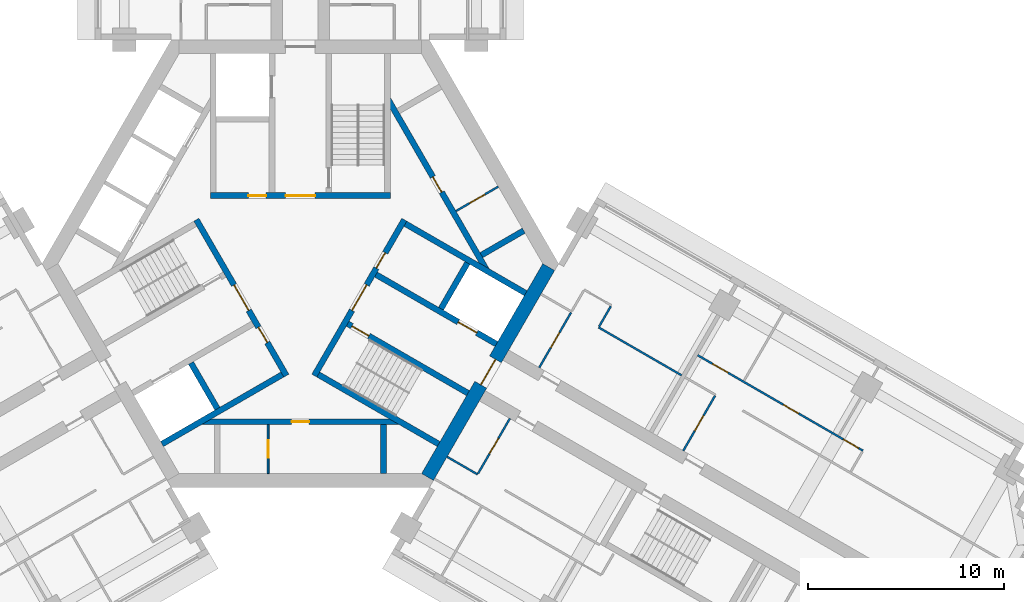
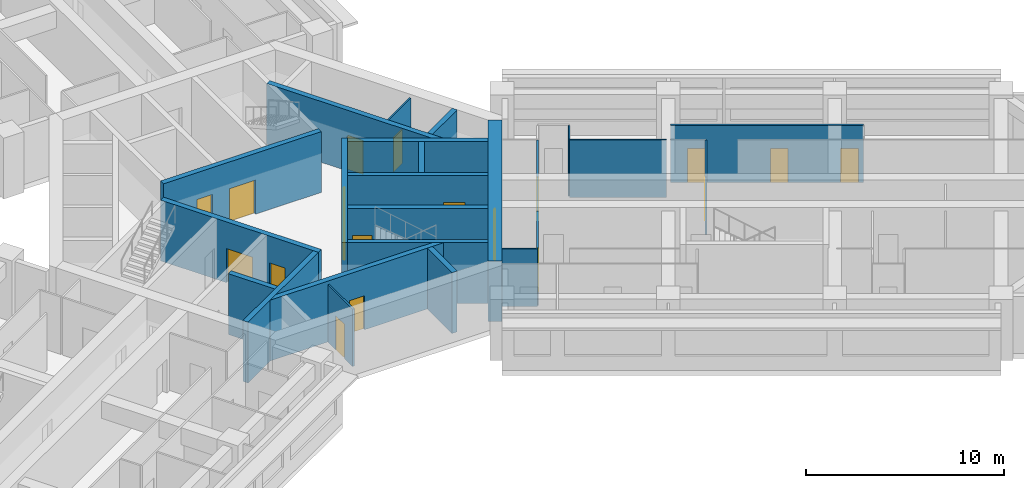
# One storey, part 6 of 12: 24 walls, 19 doors, 19 openings.
"""IFC4 building model written with IfcOpenShell, lengths in metres."""

from ifc_helpers import new_model, si_unit, direction, frame, frame_2d, origin, place, context, subcontext, project, spatial, rectangle, extrude, material, layer, layer_set, type_object, element, fill, save


model = new_model("IFC4")

# Units and contexts
model_context = context("Model", 3, precision=1e-05, world=origin(), true_north=direction((0.0, 1.0)))
body_context = subcontext(model_context, "Body", "Model", "MODEL_VIEW")
ifc_project = project(units=[si_unit("LENGTHUNIT", "METRE"), si_unit("AREAUNIT", "SQUARE_METRE"), si_unit("VOLUMEUNIT", "CUBIC_METRE"), si_unit("PLANEANGLEUNIT", "RADIAN"), si_unit("MASSUNIT", "GRAM", prefix="KILO")], contexts=[model_context])

# Site, building, storey
site_placement = place(None, origin())
site = spatial("IfcSite", under=ifc_project, at=site_placement, CompositionType="ELEMENT")
building_placement = place(site_placement, origin())
building = spatial("IfcBuilding", under=site, at=building_placement, Name="Impinga Residences", CompositionType="ELEMENT")
storey_placement = place(building_placement, frame((0.0, 0.0, 188.5)))
storey = spatial("IfcBuildingStorey", under=building, at=storey_placement, Name="L46", CompositionType="ELEMENT", Elevation=188.5)

# Wall, opening, door
ifc_material_1 = material(Name="Concrete blockwork", Category="masonry")
ifc_layer_1 = layer(ifc_material_1, 0.10009765625)
ifc_layer_set_1 = layer_set([ifc_layer_1], Name="CP1 core room partition, blockwork 100")
wall_type_1 = type_object("IfcWallType", Name="CP1 core room partition, blockwork 100", PredefinedType="PARTITIONING", material=ifc_layer_set_1)
wall_1_placement = place(storey_placement, frame((-1.64990234375, -8.2314453125, 0.0), z_axis=(0.0, 0.0, 1.0), x_axis=(0.0, -1.0, 0.0)))
wall_1 = element("IfcWall", 1, at=wall_1_placement, inside=storey, type_object=wall_type_1, Name="Core room partition, blockwork L46:CORE:low:ZP1", PredefinedType="PARTITIONING", context=body_context, shape_type="SweptSolid", body=[
    extrude(rectangle(XDim=2.5, YDim=0.10009765625, at=frame_2d((1.25, 0.0))), origin(), (0.0, 0.0, 1.0), 3.530029296875),
])
opening_1_placement = place(wall_1_placement, frame((0.800048828125, 0.0, 0.0)))
opening_1 = element("IfcOpeningElement", 2, at=opening_1_placement, cuts=wall_1, Name="Opening D6", PredefinedType="OPENING", context=body_context, shape_type="SweptSolid", body=[
    extrude(rectangle(XDim=0.89990234375, YDim=2.10009765625, at=frame_2d((0.449951171875, 1.050048828125))), frame((0.0, 0.06005859375, 0.0), z_axis=(0.0, -1.0, 0.0), x_axis=(1.0, 0.0, 0.0)), (0.0, 0.0, 1.0), 0.1201171875),
])
ifc_material_2 = material(Name="Timber door set", Category="wood")
door_type_1 = type_object("IfcDoorType", Name="D6 riser and store door 900x2100", OperationType="SINGLE_SWING_LEFT", PredefinedType="DOOR", material=ifc_material_2)
door_1_placement = place(opening_1_placement, origin())
door_1 = element("IfcDoor", 3, at=door_1_placement, inside=storey, type_object=door_type_1, Name="Linen store door", OperationType="SINGLE_SWING_LEFT", OverallHeight=2.10009765625, OverallWidth=0.89990234375, PredefinedType="DOOR", context=body_context, shape_type="SweptSolid", body=[
    extrude(rectangle(XDim=0.89990234375, YDim=2.10009765625, at=frame_2d((0.449951171875, 1.050048828125))), frame((0.0, 0.02490234375, 0.0), z_axis=(0.0, -1.0, 0.0), x_axis=(1.0, 0.0, 0.0)), (0.0, 0.0, 1.0), 0.050048828125),
])
fill(opening_1, door_1)

wall_2_placement = place(storey_placement, frame((7.95361328125, 2.686767578125, 0.0), z_axis=(0.0, 0.0, 1.0), x_axis=(0.866047370643, 0.499961950354, 0.0)))
wall_2 = element("IfcWall", 4, at=wall_2_placement, inside=storey, type_object=wall_type_1, Name="Core room partition, blockwork L46:CORE:mid:ZP1", PredefinedType="PARTITIONING", context=body_context, shape_type="SweptSolid", body=[
    extrude(rectangle(XDim=2.500244140625, YDim=0.10009765625, at=frame_2d((1.25, 0.0))), origin(), (0.0, 0.0, 1.0), 3.530029296875),
])
opening_2_placement = place(wall_2_placement, frame((0.800048828125, 0.0, 0.0)))
opening_2 = element("IfcOpeningElement", 5, at=opening_2_placement, cuts=wall_2, Name="Opening D6", PredefinedType="OPENING", context=body_context, shape_type="SweptSolid", body=[
    extrude(rectangle(XDim=0.89990234375, YDim=2.10009765625, at=frame_2d((0.449951171875, 1.050048828125))), frame((0.0, 0.06005859375, 0.0), z_axis=(0.0, -1.0, 0.0), x_axis=(1.0, 0.0, 0.0)), (0.0, 0.0, 1.0), 0.1201171875),
])
door_2_placement = place(opening_2_placement, origin())
door_2 = element("IfcDoor", 6, at=door_2_placement, inside=storey, type_object=door_type_1, Name="Residents' storage lockers door", OperationType="SINGLE_SWING_LEFT", OverallHeight=2.10009765625, OverallWidth=0.89990234375, PredefinedType="DOOR", context=body_context, shape_type="SweptSolid", body=[
    extrude(rectangle(XDim=0.89990234375, YDim=2.10009765625, at=frame_2d((0.449951171875, 1.050048828125))), frame((0.0, 0.02490234375, 0.0), z_axis=(0.0, -1.0, 0.0), x_axis=(1.0, 0.0, 0.0)), (0.0, 0.0, 1.0), 0.050048828125),
])
fill(opening_2, door_2)

# Walls
ifc_material_3 = material(Name="Gypsum board on steel studs", Category="steel")
ifc_layer_2 = layer(ifc_material_3, 0.10009765625)
ifc_layer_set_2 = layer_set([ifc_layer_2], Name="Gypsum board on steel studs")
wall_type_2 = type_object("IfcWallType", Name="IP1 partition 100", PredefinedType="PARTITIONING", material=ifc_layer_set_2)
wall_3_placement = place(storey_placement, frame((15.244384765625, -3.2587890625, 0.0), z_axis=(0.0, 0.0, 1.0), x_axis=(0.866036242063, -0.49998122708, 0.0)))
element("IfcWall", 7, at=wall_3_placement, inside=storey, type_object=wall_type_2, Name="Partition L46-EA1:DIV1", PredefinedType="PARTITIONING", context=body_context, shape_type="SweptSolid", body=[
    extrude(rectangle(XDim=4.900146484375, YDim=0.10009765625, at=frame_2d((2.4501953125, 0.0))), origin(), (0.0, 0.0, 1.0), 3.530029296875),
])
wall_4_placement = place(storey_placement, frame((15.26953125, -3.215576171875, 0.0), z_axis=(0.0, 0.0, 1.0), x_axis=(0.499880961361, 0.866094119867, 0.0)))
element("IfcWall", 8, at=wall_4_placement, inside=storey, type_object=wall_type_2, Name="Partition L46-EA1:SE1", PredefinedType="PARTITIONING", context=body_context, shape_type="SweptSolid", body=[
    extrude(rectangle(XDim=1.199951171875, YDim=0.10009765625, at=frame_2d((0.60009765625, 0.0))), origin(), (0.0, 0.0, 1.0), 3.530029296875),
])

# Wall, opening, door
wall_5_placement = place(storey_placement, frame((12.208740234375, -5.316650390625, 0.0), z_axis=(0.0, 0.0, 1.0), x_axis=(0.500017246033, 0.866015446554, 0.0)))
wall_5 = element("IfcWall", 9, at=wall_5_placement, inside=storey, type_object=wall_type_2, Name="Partition L46-EA1:IB1", PredefinedType="PARTITIONING", context=body_context, shape_type="SweptSolid", body=[
    extrude(rectangle(XDim=3.25, YDim=0.10009765625, at=frame_2d((1.625, 0.0))), origin(), (0.0, 0.0, 1.0), 3.530029296875),
])
opening_3_placement = place(wall_5_placement, frame((1.175048828125, 0.0, 0.0)))
opening_3 = element("IfcOpeningElement", 10, at=opening_3_placement, cuts=wall_5, Name="Opening D2", PredefinedType="OPENING", context=body_context, shape_type="SweptSolid", body=[
    extrude(rectangle(XDim=0.89990234375, YDim=2.10009765625, at=frame_2d((0.449951171875, 1.050048828125))), frame((0.0, 0.06005859375, 0.0), z_axis=(0.0, -1.0, 0.0), x_axis=(1.0, 0.0, 0.0)), (0.0, 0.0, 1.0), 0.1201171875),
])
door_type_2 = type_object("IfcDoorType", Name="D2 internal door 900x2100", OperationType="SINGLE_SWING_LEFT", PredefinedType="DOOR", material=ifc_material_2)
door_3_placement = place(opening_3_placement, origin())
door_3 = element("IfcDoor", 11, at=door_3_placement, inside=storey, type_object=door_type_2, Name="Apartment L46-EA1 bathroom door", OperationType="SINGLE_SWING_LEFT", OverallHeight=2.10009765625, OverallWidth=0.89990234375, PredefinedType="DOOR", context=body_context, shape_type="SweptSolid", body=[
    extrude(rectangle(XDim=0.89990234375, YDim=2.10009765625, at=frame_2d((0.449951171875, 1.050048828125))), frame((0.0, 0.02490234375, 0.0), z_axis=(0.0, -1.0, 0.0), x_axis=(1.0, 0.0, 0.0)), (0.0, 0.0, 1.0), 0.050048828125),
])
fill(opening_3, door_3)

# Wall, openings, doors
wall_6_placement = place(storey_placement, frame((20.311279296875, -4.68310546875, 0.0), z_axis=(0.0, 0.0, 1.0), x_axis=(0.866021707014, -0.500006402939, 0.0)))
wall_6 = element("IfcWall", 12, at=wall_6_placement, inside=storey, type_object=wall_type_2, Name="Partition L46-EA2:STRIP", PredefinedType="PARTITIONING", context=body_context, shape_type="SweptSolid", body=[
    extrude(rectangle(XDim=9.749755859375, YDim=0.10009765625, at=frame_2d((4.875, 0.0))), origin(), (0.0, 0.0, 1.0), 3.530029296875),
])
opening_4_placement = place(wall_6_placement, frame((0.875, 0.0, 0.0)))
opening_4 = element("IfcOpeningElement", 13, at=opening_4_placement, cuts=wall_6, Name="Opening D2", PredefinedType="OPENING", context=body_context, shape_type="SweptSolid", body=[
    extrude(rectangle(XDim=0.89990234375, YDim=2.10009765625, at=frame_2d((0.449951171875, 1.050048828125))), frame((0.0, 0.06005859375, 0.0), z_axis=(0.0, -1.0, 0.0), x_axis=(1.0, 0.0, 0.0)), (0.0, 0.0, 1.0), 0.1201171875),
])
opening_5_placement = place(wall_6_placement, frame((5.050048828125, 0.0, 0.0)))
opening_5 = element("IfcOpeningElement", 14, at=opening_5_placement, cuts=wall_6, Name="Opening D2", PredefinedType="OPENING", context=body_context, shape_type="SweptSolid", body=[
    extrude(rectangle(XDim=0.89990234375, YDim=2.10009765625, at=frame_2d((0.449951171875, 1.050048828125))), frame((0.0, 0.06005859375, 0.0), z_axis=(0.0, -1.0, 0.0), x_axis=(1.0, 0.0, 0.0)), (0.0, 0.0, 1.0), 0.1201171875),
])
opening_6_placement = place(wall_6_placement, frame((8.60009765625, 0.0, 0.0)))
opening_6 = element("IfcOpeningElement", 15, at=opening_6_placement, cuts=wall_6, Name="Opening D2", PredefinedType="OPENING", context=body_context, shape_type="SweptSolid", body=[
    extrude(rectangle(XDim=0.89990234375, YDim=2.10009765625, at=frame_2d((0.449951171875, 1.050048828125))), frame((0.0, 0.06005859375, 0.0), z_axis=(0.0, -1.0, 0.0), x_axis=(1.0, 0.0, 0.0)), (0.0, 0.0, 1.0), 0.1201171875),
])
door_4_placement = place(opening_4_placement, origin())
door_4 = element("IfcDoor", 16, at=door_4_placement, inside=storey, type_object=door_type_2, Name="Apartment L46-EA2 room door", OperationType="SINGLE_SWING_LEFT", OverallHeight=2.10009765625, OverallWidth=0.89990234375, PredefinedType="DOOR", context=body_context, shape_type="SweptSolid", body=[
    extrude(rectangle(XDim=0.89990234375, YDim=2.10009765625, at=frame_2d((0.449951171875, 1.050048828125))), frame((0.0, 0.02490234375, 0.0), z_axis=(0.0, -1.0, 0.0), x_axis=(1.0, 0.0, 0.0)), (0.0, 0.0, 1.0), 0.050048828125),
])
fill(opening_4, door_4)
door_5_placement = place(opening_5_placement, origin())
door_5 = element("IfcDoor", 17, at=door_5_placement, inside=storey, type_object=door_type_2, Name="Apartment L46-EA2 room door", OperationType="SINGLE_SWING_RIGHT", OverallHeight=2.10009765625, OverallWidth=0.89990234375, PredefinedType="DOOR", context=body_context, shape_type="SweptSolid", body=[
    extrude(rectangle(XDim=0.89990234375, YDim=2.10009765625, at=frame_2d((0.449951171875, 1.050048828125))), frame((0.0, 0.02490234375, 0.0), z_axis=(0.0, -1.0, 0.0), x_axis=(1.0, 0.0, 0.0)), (0.0, 0.0, 1.0), 0.050048828125),
])
fill(opening_5, door_5)
door_6_placement = place(opening_6_placement, origin())
door_6 = element("IfcDoor", 18, at=door_6_placement, inside=storey, type_object=door_type_2, Name="Apartment L46-EA2 room door", OperationType="SINGLE_SWING_RIGHT", OverallHeight=2.10009765625, OverallWidth=0.89990234375, PredefinedType="DOOR", context=body_context, shape_type="SweptSolid", body=[
    extrude(rectangle(XDim=0.89990234375, YDim=2.10009765625, at=frame_2d((0.449951171875, 1.050048828125))), frame((0.0, 0.02490234375, 0.0), z_axis=(0.0, -1.0, 0.0), x_axis=(1.0, 0.0, 0.0)), (0.0, 0.0, 1.0), 0.050048828125),
])
fill(opening_6, door_6)

# Wall, opening, door
wall_7_placement = place(storey_placement, frame((19.570068359375, -9.566650390625, 0.0), z_axis=(0.0, 0.0, 1.0), x_axis=(0.500017246033, 0.866015446554, 0.0)))
wall_7 = element("IfcWall", 19, at=wall_7_placement, inside=storey, type_object=wall_type_2, Name="Partition L46-EA2:IB1", PredefinedType="PARTITIONING", context=body_context, shape_type="SweptSolid", body=[
    extrude(rectangle(XDim=3.25, YDim=0.10009765625, at=frame_2d((1.625, 0.0))), origin(), (0.0, 0.0, 1.0), 3.530029296875),
])
opening_7_placement = place(wall_7_placement, frame((1.175048828125, 0.0, 0.0)))
opening_7 = element("IfcOpeningElement", 20, at=opening_7_placement, cuts=wall_7, Name="Opening D2", PredefinedType="OPENING", context=body_context, shape_type="SweptSolid", body=[
    extrude(rectangle(XDim=0.89990234375, YDim=2.10009765625, at=frame_2d((0.449951171875, 1.050048828125))), frame((0.0, 0.06005859375, 0.0), z_axis=(0.0, -1.0, 0.0), x_axis=(1.0, 0.0, 0.0)), (0.0, 0.0, 1.0), 0.1201171875),
])
door_7_placement = place(opening_7_placement, origin())
door_7 = element("IfcDoor", 21, at=door_7_placement, inside=storey, type_object=door_type_2, Name="Apartment L46-EA2 bathroom door", OperationType="SINGLE_SWING_LEFT", OverallHeight=2.10009765625, OverallWidth=0.89990234375, PredefinedType="DOOR", context=body_context, shape_type="SweptSolid", body=[
    extrude(rectangle(XDim=0.89990234375, YDim=2.10009765625, at=frame_2d((0.449951171875, 1.050048828125))), frame((0.0, 0.02490234375, 0.0), z_axis=(0.0, -1.0, 0.0), x_axis=(1.0, 0.0, 0.0)), (0.0, 0.0, 1.0), 0.050048828125),
])
fill(opening_7, door_7)

# Wall
wall_8_placement = place(storey_placement, frame((7.5, -9.872802734375, 0.0), z_axis=(0.0, 0.0, 1.0), x_axis=(0.866047807691, -0.499961193289, 0.0)))
element("IfcWall", 22, at=wall_8_placement, inside=storey, type_object=wall_type_2, Name="Partition L46-EF1:DIV0", PredefinedType="PARTITIONING", context=body_context, shape_type="SweptSolid", body=[
    extrude(rectangle(XDim=1.800048828125, YDim=0.10009765625, at=frame_2d((0.89990234375, 0.0))), origin(), (0.0, 0.0, 1.0), 3.530029296875),
])

# Wall, opening, door
wall_9_placement = place(storey_placement, frame((10.708740234375, -7.914794921875, 0.0), z_axis=(0.0, 0.0, 1.0), x_axis=(-0.499984717929, -0.866034226713, 0.0)))
wall_9 = element("IfcWall", 23, at=wall_9_placement, inside=storey, type_object=wall_type_2, Name="Partition L46-EF1:IB1", PredefinedType="PARTITIONING", context=body_context, shape_type="SweptSolid", body=[
    extrude(rectangle(XDim=3.25, YDim=0.10009765625, at=frame_2d((1.625, 0.0))), origin(), (0.0, 0.0, 1.0), 3.530029296875),
])
opening_8_placement = place(wall_9_placement, frame((1.175048828125, 0.0, 0.0)))
opening_8 = element("IfcOpeningElement", 24, at=opening_8_placement, cuts=wall_9, Name="Opening D2", PredefinedType="OPENING", context=body_context, shape_type="SweptSolid", body=[
    extrude(rectangle(XDim=0.89990234375, YDim=2.10009765625, at=frame_2d((0.449951171875, 1.050048828125))), frame((0.0, 0.06005859375, 0.0), z_axis=(0.0, -1.0, 0.0), x_axis=(1.0, 0.0, 0.0)), (0.0, 0.0, 1.0), 0.1201171875),
])
door_8_placement = place(opening_8_placement, origin())
door_8 = element("IfcDoor", 25, at=door_8_placement, inside=storey, type_object=door_type_2, Name="Apartment L46-EF1 bathroom door", OperationType="SINGLE_SWING_LEFT", OverallHeight=2.10009765625, OverallWidth=0.89990234375, PredefinedType="DOOR", context=body_context, shape_type="SweptSolid", body=[
    extrude(rectangle(XDim=0.89990234375, YDim=2.10009765625, at=frame_2d((0.449951171875, 1.050048828125))), frame((0.0, 0.02490234375, 0.0), z_axis=(0.0, -1.0, 0.0), x_axis=(1.0, 0.0, 0.0)), (0.0, 0.0, 1.0), 0.050048828125),
])
fill(opening_8, door_8)

ifc_material_4 = material(Name="Concrete C60/75", Category="concrete")
ifc_layer_3 = layer(ifc_material_4, 0.699951171875)
ifc_layer_set_3 = layer_set([ifc_layer_3], Name="Concrete C60/75")
wall_type_3 = type_object("IfcWallType", Name="SW3 core wall 700", PredefinedType="SHEAR", material=ifc_layer_set_3)
wall_10_placement = place(storey_placement, frame((12.69482421875, -0.175048828125, 0.0), z_axis=(0.0, 0.0, 1.0), x_axis=(-0.499999875397, -0.866025475724, 0.0)))
wall_10 = element("IfcWall", 26, at=wall_10_placement, inside=storey, type_object=wall_type_3, Name="Core wall SW3 E:FACE L46", PredefinedType="SHEAR", context=body_context, shape_type="SweptSolid", body=[
    extrude(rectangle(XDim=12.3916015625, YDim=0.699951171875, at=frame_2d((6.19580078125, 0.0))), origin(), (0.0, 0.0, 1.0), 3.75),
])
opening_9_placement = place(wall_10_placement, frame((5.44580078125, 0.0, 0.0)))
opening_9 = element("IfcOpeningElement", 27, at=opening_9_placement, cuts=wall_10, Name="Opening D4", PredefinedType="OPENING", context=body_context, shape_type="SweptSolid", body=[
    extrude(rectangle(XDim=1.5, YDim=2.10009765625, at=frame_2d((0.75, 1.050048828125))), frame((0.0, 0.35986328125, 0.0), z_axis=(0.0, -1.0, 0.0), x_axis=(1.0, 0.0, 0.0)), (0.0, 0.0, 1.0), 0.719970703125),
])
door_type_3 = type_object("IfcDoorType", Name="D4 lobby door pair 1500x2100", OperationType="DOUBLE_DOOR_DOUBLE_SWING", PredefinedType="DOOR", material=ifc_material_2)
door_9_placement = place(opening_9_placement, origin())
door_9 = element("IfcDoor", 28, at=door_9_placement, inside=storey, type_object=door_type_3, Name="Lobby door E", OperationType="DOUBLE_DOOR_DOUBLE_SWING", OverallHeight=2.10009765625, OverallWidth=1.5, PredefinedType="DOOR", context=body_context, shape_type="SweptSolid", body=[
    extrude(rectangle(XDim=1.5, YDim=2.10009765625, at=frame_2d((0.75, 1.050048828125))), frame((0.0, 0.02490234375, 0.0), z_axis=(0.0, -1.0, 0.0), x_axis=(1.0, 0.0, 0.0)), (0.0, 0.0, 1.0), 0.050048828125),
])
fill(opening_9, door_9)

# Wall, openings, doors
ifc_material_5 = material(Name="Concrete C70/85", Category="concrete")
ifc_layer_4 = layer(ifc_material_5, 0.300048828125)
ifc_layer_set_4 = layer_set([ifc_layer_4], Name="Concrete C70/85")
wall_type_4 = type_object("IfcWallType", Name="SW5 core inner wall, stairs, shafts and lobbies 300", PredefinedType="SHEAR", material=ifc_layer_set_4)
wall_11_placement = place(storey_placement, frame((-4.60009765625, 3.47998046875, 0.0), z_axis=(0.0, 0.0, 1.0), x_axis=(1.0, 0.0, 0.0)))
wall_11 = element("IfcWall", 29, at=wall_11_placement, inside=storey, type_object=wall_type_4, Name="Core wall SW5 N:ZONE L46", PredefinedType="SHEAR", context=body_context, shape_type="SweptSolid", body=[
    extrude(rectangle(XDim=9.2001953125, YDim=0.300048828125, at=frame_2d((4.60009765625, 0.0))), origin(), (0.0, 0.0, 1.0), 3.75),
])
opening_10_placement = place(wall_11_placement, frame((3.85009765625, 0.0, 0.0)))
opening_10 = element("IfcOpeningElement", 30, at=opening_10_placement, cuts=wall_11, Name="Opening D4", PredefinedType="OPENING", context=body_context, shape_type="SweptSolid", body=[
    extrude(rectangle(XDim=1.5, YDim=2.10009765625, at=frame_2d((0.75, 1.050048828125))), frame((0.0, 0.159912109375, 0.0), z_axis=(0.0, -1.0, 0.0), x_axis=(1.0, 0.0, 0.0)), (0.0, 0.0, 1.0), 0.320068359375),
])
opening_11_placement = place(wall_11_placement, frame((1.949951171875, 0.0, 0.0)))
opening_11 = element("IfcOpeningElement", 31, at=opening_11_placement, cuts=wall_11, Name="Opening D6", PredefinedType="OPENING", context=body_context, shape_type="SweptSolid", body=[
    extrude(rectangle(XDim=0.89990234375, YDim=2.10009765625, at=frame_2d((0.449951171875, 1.050048828125))), frame((0.0, 0.159912109375, 0.0), z_axis=(0.0, -1.0, 0.0), x_axis=(1.0, 0.0, 0.0)), (0.0, 0.0, 1.0), 0.320068359375),
])
door_10_placement = place(opening_10_placement, origin())
door_10 = element("IfcDoor", 32, at=door_10_placement, inside=storey, type_object=door_type_3, Name="Firefighting lobby door N", OperationType="DOUBLE_DOOR_DOUBLE_SWING", OverallHeight=2.10009765625, OverallWidth=1.5, PredefinedType="DOOR", context=body_context, shape_type="SweptSolid", body=[
    extrude(rectangle(XDim=1.5, YDim=2.10009765625, at=frame_2d((0.75, 1.050048828125))), frame((0.0, 0.02490234375, 0.0), z_axis=(0.0, -1.0, 0.0), x_axis=(1.0, 0.0, 0.0)), (0.0, 0.0, 1.0), 0.050048828125),
])
fill(opening_10, door_10)
door_11_placement = place(opening_11_placement, origin())
door_11 = element("IfcDoor", 33, at=door_11_placement, inside=storey, type_object=door_type_1, Name="Riser door N", OperationType="SINGLE_SWING_LEFT", OverallHeight=2.10009765625, OverallWidth=0.89990234375, PredefinedType="DOOR", context=body_context, shape_type="SweptSolid", body=[
    extrude(rectangle(XDim=0.89990234375, YDim=2.10009765625, at=frame_2d((0.449951171875, 1.050048828125))), frame((0.0, 0.02490234375, 0.0), z_axis=(0.0, -1.0, 0.0), x_axis=(1.0, 0.0, 0.0)), (0.0, 0.0, 1.0), 0.050048828125),
])
fill(opening_11, door_11)

wall_12_placement = place(storey_placement, frame((-0.7138671875, -5.7236328125, 0.0), z_axis=(0.0, 0.0, 1.0), x_axis=(-0.499995050369, 0.866028261437, 0.0)))
wall_12 = element("IfcWall", 34, at=wall_12_placement, inside=storey, type_object=wall_type_4, Name="Core wall SW5 W:ZONE L46", PredefinedType="SHEAR", context=body_context, shape_type="SweptSolid", body=[
    extrude(rectangle(XDim=9.19970703125, YDim=0.300048828125, at=frame_2d((4.599853515625, 0.0))), origin(), (0.0, 0.0, 1.0), 3.75),
])
opening_12_placement = place(wall_12_placement, frame((3.85009765625, 0.0, 0.0)))
opening_12 = element("IfcOpeningElement", 35, at=opening_12_placement, cuts=wall_12, Name="Opening D4", PredefinedType="OPENING", context=body_context, shape_type="SweptSolid", body=[
    extrude(rectangle(XDim=1.5, YDim=2.10009765625, at=frame_2d((0.75, 1.050048828125))), frame((0.0, 0.159912109375, 0.0), z_axis=(0.0, -1.0, 0.0), x_axis=(1.0, 0.0, 0.0)), (0.0, 0.0, 1.0), 0.320068359375),
])
opening_13_placement = place(wall_12_placement, frame((1.949951171875, 0.0, 0.0)))
opening_13 = element("IfcOpeningElement", 36, at=opening_13_placement, cuts=wall_12, Name="Opening D6", PredefinedType="OPENING", context=body_context, shape_type="SweptSolid", body=[
    extrude(rectangle(XDim=0.89990234375, YDim=2.10009765625, at=frame_2d((0.449951171875, 1.050048828125))), frame((0.0, 0.159912109375, 0.0), z_axis=(0.0, -1.0, 0.0), x_axis=(1.0, 0.0, 0.0)), (0.0, 0.0, 1.0), 0.320068359375),
])
door_12_placement = place(opening_12_placement, origin())
door_12 = element("IfcDoor", 37, at=door_12_placement, inside=storey, type_object=door_type_3, Name="Firefighting lobby door W", OperationType="DOUBLE_DOOR_DOUBLE_SWING", OverallHeight=2.10009765625, OverallWidth=1.5, PredefinedType="DOOR", context=body_context, shape_type="SweptSolid", body=[
    extrude(rectangle(XDim=1.5, YDim=2.10009765625, at=frame_2d((0.75, 1.050048828125))), frame((0.0, 0.02490234375, 0.0), z_axis=(0.0, -1.0, 0.0), x_axis=(1.0, 0.0, 0.0)), (0.0, 0.0, 1.0), 0.050048828125),
])
fill(opening_12, door_12)
door_13_placement = place(opening_13_placement, origin())
door_13 = element("IfcDoor", 38, at=door_13_placement, inside=storey, type_object=door_type_1, Name="Riser door W", OperationType="SINGLE_SWING_LEFT", OverallHeight=2.10009765625, OverallWidth=0.89990234375, PredefinedType="DOOR", context=body_context, shape_type="SweptSolid", body=[
    extrude(rectangle(XDim=0.89990234375, YDim=2.10009765625, at=frame_2d((0.449951171875, 1.050048828125))), frame((0.0, 0.02490234375, 0.0), z_axis=(0.0, -1.0, 0.0), x_axis=(1.0, 0.0, 0.0)), (0.0, 0.0, 1.0), 0.050048828125),
])
fill(opening_13, door_13)

# Walls
wall_13_placement = place(storey_placement, frame((-0.918701171875, -5.668701171875, 0.0), z_axis=(0.0, 0.0, 1.0), x_axis=(-0.866025859768, -0.499999210213, 0.0)))
element("IfcWall", 39, at=wall_13_placement, inside=storey, type_object=wall_type_4, Name="Core wall SW5 W:FF-OUT L46", PredefinedType="SHEAR", context=body_context, shape_type="SweptSolid", body=[
    extrude(rectangle(XDim=7.1015625, YDim=0.300048828125, at=frame_2d((3.55078125, 0.0))), origin(), (0.0, 0.0, 1.0), 3.75),
])
wall_14_placement = place(storey_placement, frame((-4.2412109375, -7.413818359375, 0.0), z_axis=(0.0, 0.0, 1.0), x_axis=(-0.500048589285, 0.86599734893, 0.0)))
element("IfcWall", 40, at=wall_14_placement, inside=storey, type_object=wall_type_4, Name="Core wall SW5 W:FF-RS L46", PredefinedType="SHEAR", context=body_context, shape_type="SweptSolid", body=[
    extrude(rectangle(XDim=2.699951171875, YDim=0.300048828125, at=frame_2d((1.35009765625, 0.0))), origin(), (0.0, 0.0, 1.0), 3.75),
])

# Wall, openings, doors
wall_15_placement = place(storey_placement, frame((5.313720703125, 2.24365234375, 0.0), z_axis=(0.0, 0.0, 1.0), x_axis=(-0.499995050369, -0.866028261437, 0.0)))
wall_15 = element("IfcWall", 41, at=wall_15_placement, inside=storey, type_object=wall_type_4, Name="Core wall SW5 E:ZONE L46", PredefinedType="SHEAR", context=body_context, shape_type="SweptSolid", body=[
    extrude(rectangle(XDim=9.19970703125, YDim=0.300048828125, at=frame_2d((4.599853515625, 0.0))), origin(), (0.0, 0.0, 1.0), 3.75),
])
opening_14_placement = place(wall_15_placement, frame((3.85009765625, 0.0, 0.0)))
opening_14 = element("IfcOpeningElement", 42, at=opening_14_placement, cuts=wall_15, Name="Opening D4", PredefinedType="OPENING", context=body_context, shape_type="SweptSolid", body=[
    extrude(rectangle(XDim=1.5, YDim=2.10009765625, at=frame_2d((0.75, 1.050048828125))), frame((0.0, 0.159912109375, 0.0), z_axis=(0.0, -1.0, 0.0), x_axis=(1.0, 0.0, 0.0)), (0.0, 0.0, 1.0), 0.320068359375),
])
opening_15_placement = place(wall_15_placement, frame((1.949951171875, 0.0, 0.0)))
opening_15 = element("IfcOpeningElement", 43, at=opening_15_placement, cuts=wall_15, Name="Opening D6", PredefinedType="OPENING", context=body_context, shape_type="SweptSolid", body=[
    extrude(rectangle(XDim=0.89990234375, YDim=2.10009765625, at=frame_2d((0.449951171875, 1.050048828125))), frame((0.0, 0.159912109375, 0.0), z_axis=(0.0, -1.0, 0.0), x_axis=(1.0, 0.0, 0.0)), (0.0, 0.0, 1.0), 0.320068359375),
])
door_14_placement = place(opening_14_placement, origin())
door_14 = element("IfcDoor", 44, at=door_14_placement, inside=storey, type_object=door_type_3, Name="Firefighting lobby door E", OperationType="DOUBLE_DOOR_DOUBLE_SWING", OverallHeight=2.10009765625, OverallWidth=1.5, PredefinedType="DOOR", context=body_context, shape_type="SweptSolid", body=[
    extrude(rectangle(XDim=1.5, YDim=2.10009765625, at=frame_2d((0.75, 1.050048828125))), frame((0.0, 0.02490234375, 0.0), z_axis=(0.0, -1.0, 0.0), x_axis=(1.0, 0.0, 0.0)), (0.0, 0.0, 1.0), 0.050048828125),
])
fill(opening_14, door_14)
door_15_placement = place(opening_15_placement, origin())
door_15 = element("IfcDoor", 45, at=door_15_placement, inside=storey, type_object=door_type_1, Name="Riser door E", OperationType="SINGLE_SWING_LEFT", OverallHeight=2.10009765625, OverallWidth=0.89990234375, PredefinedType="DOOR", context=body_context, shape_type="SweptSolid", body=[
    extrude(rectangle(XDim=0.89990234375, YDim=2.10009765625, at=frame_2d((0.449951171875, 1.050048828125))), frame((0.0, 0.02490234375, 0.0), z_axis=(0.0, -1.0, 0.0), x_axis=(1.0, 0.0, 0.0)), (0.0, 0.0, 1.0), 0.050048828125),
])
fill(opening_15, door_15)

# Wall, opening, door
wall_16_placement = place(storey_placement, frame((2.418701171875, -3.07080078125, 0.0), z_axis=(0.0, 0.0, 1.0), x_axis=(0.866025859768, -0.499999210213, 0.0)))
wall_16 = element("IfcWall", 46, at=wall_16_placement, inside=storey, type_object=wall_type_4, Name="Core wall SW5 E:ST-IN L46", PredefinedType="SHEAR", context=body_context, shape_type="SweptSolid", body=[
    extrude(rectangle(XDim=7.1015625, YDim=0.300048828125, at=frame_2d((3.55078125, 0.0))), origin(), (0.0, 0.0, 1.0), 3.75),
])
opening_16_placement = place(wall_16_placement, frame((0.25, 0.0, 0.0)))
opening_16 = element("IfcOpeningElement", 47, at=opening_16_placement, cuts=wall_16, Name="Opening D5", PredefinedType="OPENING", context=body_context, shape_type="SweptSolid", body=[
    extrude(rectangle(XDim=1.0, YDim=2.10009765625, at=frame_2d((0.5, 1.050048828125))), frame((0.0, 0.159912109375, 0.0), z_axis=(0.0, -1.0, 0.0), x_axis=(1.0, 0.0, 0.0)), (0.0, 0.0, 1.0), 0.320068359375),
])
door_type_4 = type_object("IfcDoorType", Name="D5 stair door 1000x2100", OperationType="SINGLE_SWING_LEFT", PredefinedType="DOOR", material=ifc_material_2)
door_16_placement = place(opening_16_placement, origin())
door_16 = element("IfcDoor", 48, at=door_16_placement, inside=storey, type_object=door_type_4, Name="Stair door E", OperationType="SINGLE_SWING_LEFT", OverallHeight=2.10009765625, OverallWidth=1.0, PredefinedType="DOOR", context=body_context, shape_type="SweptSolid", body=[
    extrude(rectangle(XDim=1.0, YDim=2.10009765625, at=frame_2d((0.5, 1.050048828125))), frame((0.0, 0.02490234375, 0.0), z_axis=(0.0, -1.0, 0.0), x_axis=(1.0, 0.0, 0.0)), (0.0, 0.0, 1.0), 0.050048828125),
])
fill(opening_16, door_16)

# Wall
wall_17_placement = place(storey_placement, frame((0.918701171875, -5.668701171875, 0.0), z_axis=(0.0, 0.0, 1.0), x_axis=(0.866025859768, -0.499999210213, 0.0)))
element("IfcWall", 49, at=wall_17_placement, inside=storey, type_object=wall_type_4, Name="Core wall SW5 E:ST-OUT L46", PredefinedType="SHEAR", context=body_context, shape_type="SweptSolid", body=[
    extrude(rectangle(XDim=7.1015625, YDim=0.300048828125, at=frame_2d((3.55078125, 0.0))), origin(), (0.0, 0.0, 1.0), 3.75),
])

# Wall, opening, door
wall_18_placement = place(storey_placement, frame((3.86865234375, -0.559326171875, 0.0), z_axis=(0.0, 0.0, 1.0), x_axis=(0.866025859768, -0.499999210213, 0.0)))
wall_18 = element("IfcWall", 50, at=wall_18_placement, inside=storey, type_object=wall_type_4, Name="Core wall SW5 E:FF-IN L46", PredefinedType="SHEAR", context=body_context, shape_type="SweptSolid", body=[
    extrude(rectangle(XDim=7.1015625, YDim=0.300048828125, at=frame_2d((3.55078125, 0.0))), origin(), (0.0, 0.0, 1.0), 3.75),
])
opening_17_placement = place(wall_18_placement, frame((4.85009765625, 0.0, 0.0)))
opening_17 = element("IfcOpeningElement", 51, at=opening_17_placement, cuts=wall_18, Name="Opening LD2", PredefinedType="OPENING", context=body_context, shape_type="SweptSolid", body=[
    extrude(rectangle(XDim=1.10009765625, YDim=2.10009765625, at=frame_2d((0.550048828125, 1.050048828125))), frame((0.0, 0.159912109375, 0.0), z_axis=(0.0, -1.0, 0.0), x_axis=(1.0, 0.0, 0.0)), (0.0, 0.0, 1.0), 0.320068359375),
])
ifc_material_6 = material(Name="Steel lift landing door", Category="steel")
door_type_5 = type_object("IfcDoorType", Name="LD2 firefighting lift landing door 1100x2100", OperationType="DOUBLE_DOOR_SLIDING", PredefinedType="DOOR", material=ifc_material_6)
door_17_placement = place(opening_17_placement, origin())
door_17 = element("IfcDoor", 52, at=door_17_placement, inside=storey, type_object=door_type_5, Name="Firefighting lift landing door F3", OperationType="DOUBLE_DOOR_SLIDING", OverallHeight=2.10009765625, OverallWidth=1.10009765625, PredefinedType="DOOR", context=body_context, shape_type="SweptSolid", body=[
    extrude(rectangle(XDim=1.10009765625, YDim=2.10009765625, at=frame_2d((0.550048828125, 1.050048828125))), frame((0.0, 0.02490234375, 0.0), z_axis=(0.0, -1.0, 0.0), x_axis=(1.0, 0.0, 0.0)), (0.0, 0.0, 1.0), 0.050048828125),
])
fill(opening_17, door_17)

# Walls
wall_19_placement = place(storey_placement, frame((5.36865234375, 2.038818359375, 0.0), z_axis=(0.0, 0.0, 1.0), x_axis=(0.866025859768, -0.499999210213, 0.0)))
element("IfcWall", 53, at=wall_19_placement, inside=storey, type_object=wall_type_4, Name="Core wall SW5 E:FF-OUT L46", PredefinedType="SHEAR", context=body_context, shape_type="SweptSolid", body=[
    extrude(rectangle(XDim=7.1015625, YDim=0.300048828125, at=frame_2d((3.55078125, 0.0))), origin(), (0.0, 0.0, 1.0), 3.75),
])
wall_20_placement = place(storey_placement, frame((8.541259765625, 0.033935546875, 0.0), z_axis=(0.0, 0.0, 1.0), x_axis=(-0.50000943426, -0.866019956843, 0.0)))
element("IfcWall", 54, at=wall_20_placement, inside=storey, type_object=wall_type_4, Name="Core wall SW5 E:FF-RS L46", PredefinedType="SHEAR", context=body_context, shape_type="SweptSolid", body=[
    extrude(rectangle(XDim=2.7001953125, YDim=0.300048828125, at=frame_2d((1.35009765625, 0.0))), origin(), (0.0, 0.0, 1.0), 3.75),
])

# Wall, opening, door
wall_21_placement = place(storey_placement, frame((5.09765625, -8.08154296875, 0.0), z_axis=(0.0, 0.0, 1.0), x_axis=(-1.0, 0.0, 0.0)))
wall_21 = element("IfcWall", 55, at=wall_21_placement, inside=storey, type_object=wall_type_4, Name="Core wall SW5 N:BANK-FRONT L46", PredefinedType="SHEAR", context=body_context, shape_type="SweptSolid", body=[
    extrude(rectangle(XDim=10.1953125, YDim=0.300048828125, at=frame_2d((5.09765625, 0.0))), origin(), (0.0, 0.0, 1.0), 3.75),
])
opening_18_placement = place(wall_21_placement, frame((4.647705078125, 0.0, 0.0)))
opening_18 = element("IfcOpeningElement", 56, at=opening_18_placement, cuts=wall_21, Name="Opening D6", PredefinedType="OPENING", context=body_context, shape_type="SweptSolid", body=[
    extrude(rectangle(XDim=0.89990234375, YDim=2.10009765625, at=frame_2d((0.449951171875, 1.050048828125))), frame((0.0, 0.159912109375, 0.0), z_axis=(0.0, -1.0, 0.0), x_axis=(1.0, 0.0, 0.0)), (0.0, 0.0, 1.0), 0.320068359375),
])
door_18_placement = place(opening_18_placement, origin())
door_18 = element("IfcDoor", 57, at=door_18_placement, inside=storey, type_object=door_type_1, Name="Housekeeping store door", OperationType="SINGLE_SWING_LEFT", OverallHeight=2.10009765625, OverallWidth=0.89990234375, PredefinedType="DOOR", context=body_context, shape_type="SweptSolid", body=[
    extrude(rectangle(XDim=0.89990234375, YDim=2.10009765625, at=frame_2d((0.449951171875, 1.050048828125))), frame((0.0, 0.02490234375, 0.0), z_axis=(0.0, -1.0, 0.0), x_axis=(1.0, 0.0, 0.0)), (0.0, 0.0, 1.0), 0.050048828125),
])
fill(opening_18, door_18)

# Wall
wall_22_placement = place(storey_placement, frame((4.25, -8.2314453125, 0.0), z_axis=(0.0, 0.0, 1.0), x_axis=(0.0, -1.0, 0.0)))
element("IfcWall", 58, at=wall_22_placement, inside=storey, type_object=wall_type_4, Name="Core wall SW5 N:BANK-L L46", PredefinedType="SHEAR", context=body_context, shape_type="SweptSolid", body=[
    extrude(rectangle(XDim=2.5, YDim=0.300048828125, at=frame_2d((1.25, 0.0))), origin(), (0.0, 0.0, 1.0), 3.75),
])

# Wall, opening, door
wall_23_placement = place(storey_placement, frame((4.449951171875, 8.455322265625, 0.0), z_axis=(0.0, 0.0, 1.0), x_axis=(0.500002290144, -0.866024081565, 0.0)))
wall_23 = element("IfcWall", 59, at=wall_23_placement, inside=storey, type_object=wall_type_4, Name="Core wall SW5 W:BANK-FRONT L46", PredefinedType="SHEAR", context=body_context, shape_type="SweptSolid", body=[
    extrude(rectangle(XDim=10.1953125, YDim=0.300048828125, at=frame_2d((5.09765625, 0.0))), origin(), (0.0, 0.0, 1.0), 3.75),
])
opening_19_placement = place(wall_23_placement, frame((4.647705078125, 0.0, 0.0)))
opening_19 = element("IfcOpeningElement", 60, at=opening_19_placement, cuts=wall_23, Name="Opening D6", PredefinedType="OPENING", context=body_context, shape_type="SweptSolid", body=[
    extrude(rectangle(XDim=0.89990234375, YDim=2.10009765625, at=frame_2d((0.449951171875, 1.050048828125))), frame((0.0, 0.159912109375, 0.0), z_axis=(0.0, -1.0, 0.0), x_axis=(1.0, 0.0, 0.0)), (0.0, 0.0, 1.0), 0.320068359375),
])
door_19_placement = place(opening_19_placement, origin())
door_19 = element("IfcDoor", 61, at=door_19_placement, inside=storey, type_object=door_type_1, Name="Residents' study door", OperationType="SINGLE_SWING_RIGHT", OverallHeight=2.10009765625, OverallWidth=0.89990234375, PredefinedType="DOOR", context=body_context, shape_type="SweptSolid", body=[
    extrude(rectangle(XDim=0.89990234375, YDim=2.10009765625, at=frame_2d((0.449951171875, 1.050048828125))), frame((0.0, 0.02490234375, 0.0), z_axis=(0.0, -1.0, 0.0), x_axis=(1.0, 0.0, 0.0)), (0.0, 0.0, 1.0), 0.050048828125),
])
fill(opening_19, door_19)

# Wall
wall_24_placement = place(storey_placement, frame((9.253662109375, 0.43505859375, 0.0), z_axis=(0.0, 0.0, 1.0), x_axis=(0.866022959057, 0.500004234368, 0.0)))
element("IfcWall", 62, at=wall_24_placement, inside=storey, type_object=wall_type_4, Name="Core wall SW5 W:BANK-R L46", PredefinedType="SHEAR", context=body_context, shape_type="SweptSolid", body=[
    extrude(rectangle(XDim=2.5, YDim=0.300048828125, at=frame_2d((1.25, 0.0))), origin(), (0.0, 0.0, 1.0), 3.75),
])

save(model, "model.ifc")
